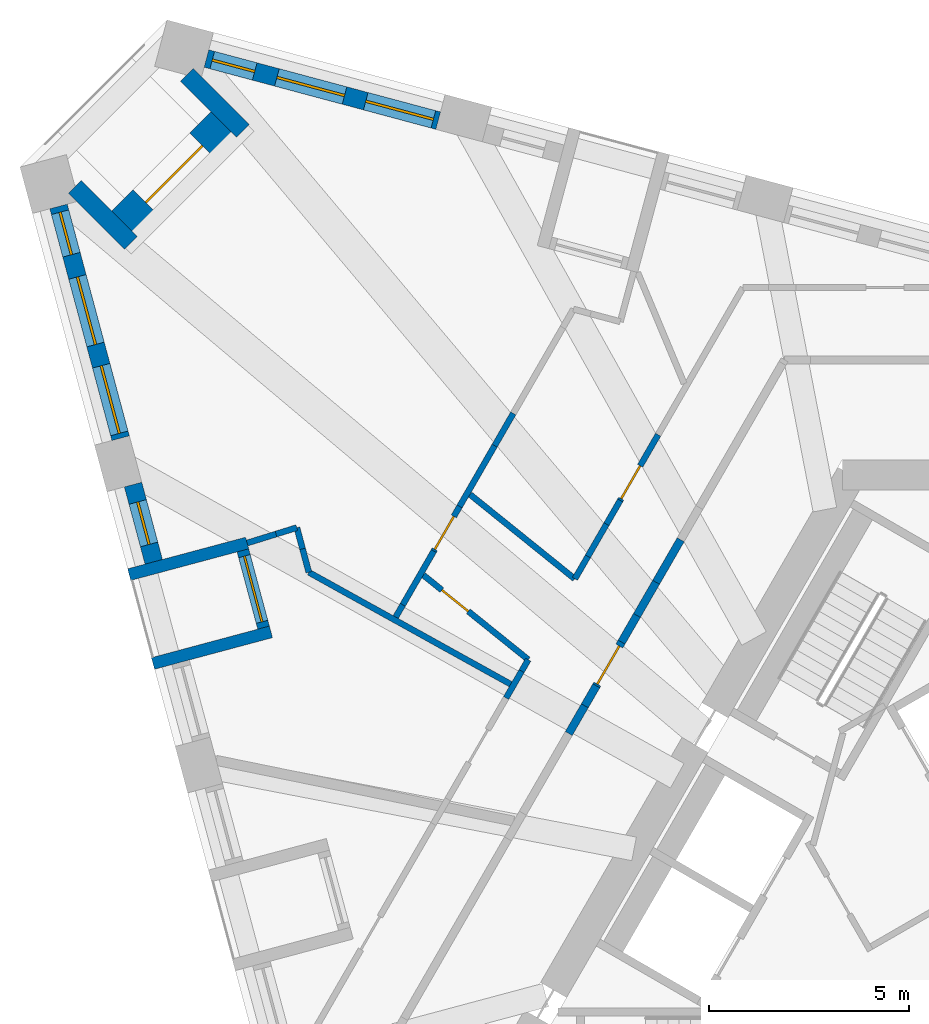
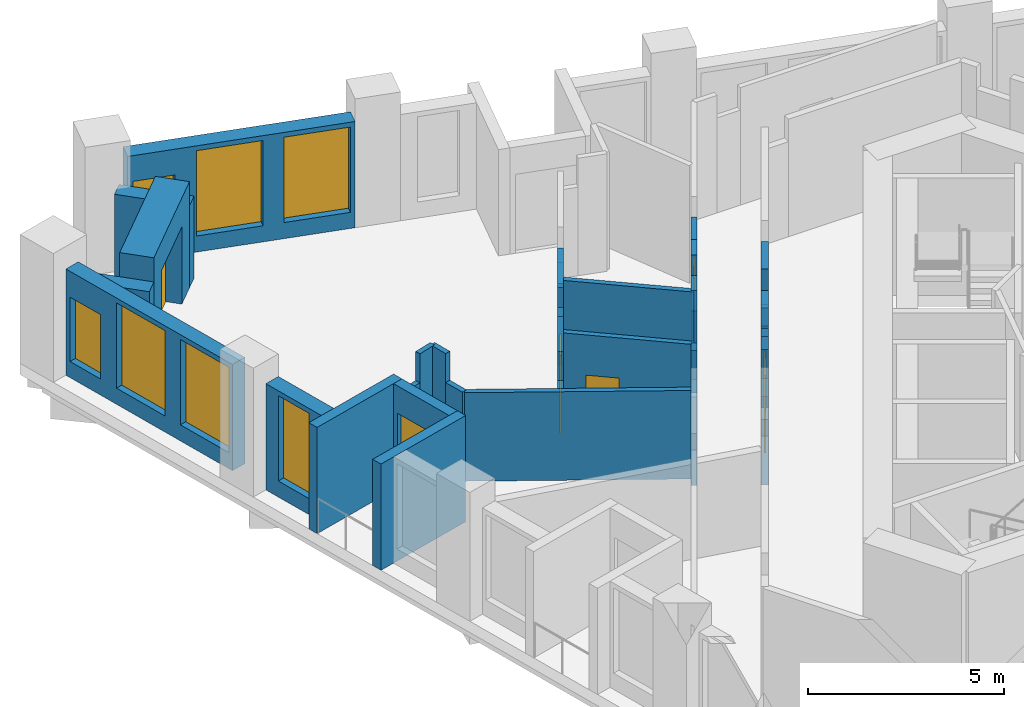
# One storey, part 6 of 13: 33 walls, 7 windows, 6 doors, 13 openings.
"""IFC4 building model written with IfcOpenShell, lengths in metres."""

import ifcopenshell
import ifcopenshell.guid

model = None  # the IFC model being written
_history = None  # IfcOwnerHistory: only IFC2X3 demands one
_inside = {}  # id of a spatial element -> (the spatial element, [elements in it])
_under = {}  # id of a project, library or spatial element -> (it, [spatial elements below it])
_declared = {}  # id of a project -> (the project, [libraries it declares])
_typed = {}  # id of a type object -> (the type object, [elements of that type])
_made_of = {}  # id of a material, layer set ... -> (it, [elements and type objects made of it])


def new_model(schema):
    """Start an empty IFC model of exactly this schema.

    Asked for "IFC4X3", IfcOpenShell would pick the latest addendum, in which some entities
    have other attributes; the version numbers below select the first issue.
    IFC2X3 requires an IfcOwnerHistory on every rooted entity: one is made here for all.
    """
    global model, _history
    if schema == "IFC4X3":
        model = ifcopenshell.file(schema_version=(4, 3, 0, 0))
    else:
        model = ifcopenshell.file(schema=schema)
    _inside.clear()
    _under.clear()
    _declared.clear()
    _typed.clear()
    _made_of.clear()
    _history = None
    if model.schema == "IFC2X3":
        org = make("IfcOrganization", Name="unknown")
        user = make(
            "IfcPersonAndOrganization",
            ThePerson=make("IfcPerson", FamilyName="unknown"),
            TheOrganization=org,
        )
        app = make(
            "IfcApplication",
            ApplicationDeveloper=org,
            Version="unknown",
            ApplicationFullName="unknown",
            ApplicationIdentifier="unknown",
        )
        _history = make(
            "IfcOwnerHistory",
            OwningUser=user,
            OwningApplication=app,
            ChangeAction="ADDED",
            CreationDate=0,
        )
    return model


def make(cls, **values):
    """One entity of the class cls with the attributes given. An attribute that is None is left unset."""
    return model.create_entity(
        cls, **{name: value for name, value in values.items() if value is not None}
    )


def rooted(cls, **values):
    """An entity with a GlobalId (a new one), such as an element, a storey or a relation."""
    return make(cls, GlobalId=ifcopenshell.guid.new(), OwnerHistory=_history, **values)


def si_unit(unit_type, name, prefix=None):
    """IfcSIUnit, for example si_unit("LENGTHUNIT", "METRE", prefix="MILLI")."""
    return make("IfcSIUnit", UnitType=unit_type, Prefix=prefix, Name=name)


def assignment(units):
    """IfcUnitAssignment: the units of a project."""
    return None if units is None else make("IfcUnitAssignment", Units=units)


def point(xyz):
    """IfcCartesianPoint."""
    return None if xyz is None else make("IfcCartesianPoint", Coordinates=xyz)


def direction(xyz):
    """IfcDirection."""
    return None if xyz is None else make("IfcDirection", DirectionRatios=xyz)


def frame(location, z_axis=None, x_axis=None):
    """IfcAxis2Placement3D, a coordinate frame: its origin and axes. An axis left out is left unset."""
    return make(
        "IfcAxis2Placement3D",
        Location=point(location),
        Axis=direction(z_axis),
        RefDirection=direction(x_axis),
    )


def frame_2d(location, x_axis=None):
    """IfcAxis2Placement2D, a coordinate frame in the plane: its origin and x axis."""
    return make(
        "IfcAxis2Placement2D", Location=point(location), RefDirection=direction(x_axis)
    )


def origin():
    """The frame at (0, 0, 0) with its axes left unset."""
    return frame((0.0, 0.0, 0.0))


def place(relative_to, where):
    """IfcLocalPlacement: puts the frame where relative to a parent placement (None: the world)."""
    return make(
        "IfcLocalPlacement", PlacementRelTo=relative_to, RelativePlacement=where
    )


def context(
    kind, dimensions, precision=None, world=None, true_north=None, identifier=None
):
    """IfcGeometricRepresentationContext, for example the 3D "Model" context."""
    return make(
        "IfcGeometricRepresentationContext",
        ContextIdentifier=identifier,
        ContextType=kind,
        CoordinateSpaceDimension=dimensions,
        Precision=precision,
        WorldCoordinateSystem=world,
        TrueNorth=true_north,
    )


def subcontext(parent, identifier, kind, view, scale=None):
    """IfcGeometricRepresentationSubContext, for example "Body" below "Model"."""
    return make(
        "IfcGeometricRepresentationSubContext",
        ContextIdentifier=identifier,
        ContextType=kind,
        ParentContext=parent,
        TargetScale=scale,
        TargetView=view,
    )


def project(units=None, contexts=None):
    """IfcProject with its units and contexts."""
    return rooted(
        "IfcProject",
        Name="project",
        RepresentationContexts=contexts,
        UnitsInContext=assignment(units),
    )


def spatial(cls, under=None, at=None, **own):
    """A site, building, storey or space (cls), placed at a placement, below another one or the project."""
    s = rooted(cls, ObjectPlacement=at, **own)
    if under is not None:
        _under.setdefault(under.id(), (under, []))[1].append(s)
    return s


def polyline(points):
    """IfcPolyline through the points."""
    return make("IfcPolyline", Points=[point(p) for p in points])


def profile(cls, at=None, kind="AREA", **sizes):
    """A parametric profile (cls). Its sizes go by their IFC names, for example OverallWidth=200.0."""
    return make(cls, ProfileType=kind, Position=at, **sizes)


def rectangle(**sizes):
    """IfcRectangleProfileDef."""
    return profile("IfcRectangleProfileDef", **sizes)


def outline(outer, holes=None, kind="AREA"):
    """IfcArbitraryClosedProfileDef: a profile drawn as a closed curve; with holes, ...WithVoids."""
    if holes is None:
        return make("IfcArbitraryClosedProfileDef", ProfileType=kind, OuterCurve=outer)
    return make(
        "IfcArbitraryProfileDefWithVoids",
        ProfileType=kind,
        OuterCurve=outer,
        InnerCurves=holes,
    )


def extrude(swept, where, along, depth):
    """IfcExtrudedAreaSolid: the profile swept, set in the frame where, extruded along a direction by depth."""
    return make(
        "IfcExtrudedAreaSolid",
        SweptArea=swept,
        Position=where,
        ExtrudedDirection=direction(along),
        Depth=depth,
    )


def shape(context_of_items, identifier, shape_type, items):
    """IfcShapeRepresentation: the items that make up one representation, for example the "Body"."""
    return make(
        "IfcShapeRepresentation",
        ContextOfItems=context_of_items,
        RepresentationIdentifier=identifier,
        RepresentationType=shape_type,
        Items=items,
    )


def material(Name=None, Category=None):
    """IfcMaterial."""
    return make("IfcMaterial", Name=Name, Category=Category)


def layer(
    of_material, thickness, ventilated=None, Name=None, Category=None, Priority=None
):
    """IfcMaterialLayer: one layer of a wall or slab, of a material (None: an air gap)."""
    return make(
        "IfcMaterialLayer",
        Material=of_material,
        LayerThickness=thickness,
        IsVentilated=ventilated,
        Name=Name,
        Category=Category,
        Priority=Priority,
    )


def layer_set(layers, Name=None):
    """IfcMaterialLayerSet."""
    return make("IfcMaterialLayerSet", MaterialLayers=layers, LayerSetName=Name)


def made_of(thing, what):
    """Note that an element or type object is made of a material, layer set ...; save() writes the relation."""
    if what is not None:
        _made_of.setdefault(what.id(), (what, []))[1].append(thing)
    return thing


def type_object(cls, material=None, **own):
    """A type object (cls), such as IfcWallType, which elements share."""
    return made_of(rooted(cls, **own), material)


def element(
    cls,
    number,
    at=None,
    inside=None,
    cuts=None,
    type_object=None,
    material=None,
    context=None,
    identifier="Body",
    shape_type=None,
    held_by="IfcProductDefinitionShape",
    body=None,
    shapes=None,
    **own,
):
    """One element of the class cls, such as IfcWall. Its Tag is "e" and its number.

    at: its placement. inside: the storey or other place that contains it. cuts: it is an
    opening in that element (IfcRelVoidsElement). A single representation is given by context,
    identifier, shape_type and body (its items); several are given by shapes. held_by: the class
    of the entity that holds the representations. save() writes the other relations.
    """
    e = rooted(cls, Tag="e%d" % number, ObjectPlacement=at, **own)
    if body is not None:
        shapes = [shape(context, identifier, shape_type, body)]
    if shapes is not None:
        e.Representation = make(held_by, Representations=shapes)
    if inside is not None:
        _inside.setdefault(inside.id(), (inside, []))[1].append(e)
    if cuts is not None:
        rooted(
            "IfcRelVoidsElement", RelatingBuildingElement=cuts, RelatedOpeningElement=e
        )
    if type_object is not None:
        _typed.setdefault(type_object.id(), (type_object, []))[1].append(e)
    return made_of(e, material)


def fill(opening, filler):
    """IfcRelFillsElement: the door or window that sits in an opening."""
    return rooted(
        "IfcRelFillsElement",
        RelatingOpeningElement=opening,
        RelatedBuildingElement=filler,
    )


def aggregate(whole, parts):
    """IfcRelAggregates: a whole, such as a stair, and the parts it consists of."""
    return rooted("IfcRelAggregates", RelatingObject=whole, RelatedObjects=parts)


def save(model, path):
    """Write the relations noted so far, then the file.

    IfcRelAggregates (storeys below a building ...), IfcRelContainedInSpatialStructure (elements
    in a storey), IfcRelDefinesByType, IfcRelAssociatesMaterial and IfcRelDeclares: one each for
    every whole, place, type object, material and project.
    """
    for whole, parts in _under.values():
        aggregate(whole, parts)
    for where, things in _inside.values():
        rooted(
            "IfcRelContainedInSpatialStructure",
            RelatedElements=things,
            RelatingStructure=where,
        )
    for kind, things in _typed.values():
        rooted("IfcRelDefinesByType", RelatedObjects=things, RelatingType=kind)
    for what, things in _made_of.values():
        rooted("IfcRelAssociatesMaterial", RelatedObjects=things, RelatingMaterial=what)
    for by, libraries in _declared.values():
        rooted("IfcRelDeclares", RelatingContext=by, RelatedDefinitions=libraries)
    model.write(path)


model = new_model("IFC4")

# Units and contexts
model_context = context("Model", 3, precision=1e-05, world=origin(), true_north=direction((0.0, 1.0)))
body_context = subcontext(model_context, "Body", "Model", "MODEL_VIEW")
ifc_project = project(units=[si_unit("LENGTHUNIT", "METRE"), si_unit("AREAUNIT", "SQUARE_METRE"), si_unit("VOLUMEUNIT", "CUBIC_METRE"), si_unit("PLANEANGLEUNIT", "RADIAN"), si_unit("MASSUNIT", "GRAM", prefix="KILO")], contexts=[model_context])

# Site, building, storey
site_placement = place(None, origin())
site = spatial("IfcSite", under=ifc_project, at=site_placement, CompositionType="ELEMENT")
building_placement = place(site_placement, origin())
building = spatial("IfcBuilding", under=site, at=building_placement, Name="Tramontana Tower", CompositionType="ELEMENT")
storey_placement = place(building_placement, frame((0.0, 0.0, 228.0)))
storey = spatial("IfcBuildingStorey", under=building, at=storey_placement, Name="L53", CompositionType="ELEMENT", Elevation=228.0)

# Walls
ifc_material_1 = material(Name="Blockwork", Category="masonry")
ifc_layer_1 = layer(ifc_material_1, 0.199951171875)
ifc_layer_set_1 = layer_set([ifc_layer_1], Name="ENTRY WALL 200")
wall_type_1 = type_object("IfcWallType", Name="ENTRY WALL 200", PredefinedType="SOLIDWALL", material=ifc_layer_set_1)
wall_1_placement = place(storey_placement, frame((-8.2783203125, 4.16162109375, 0.0), z_axis=(0.0, 0.0, 1.0), x_axis=(0.500109828528, 0.865961984968, 0.0)))
element("IfcWall", 1, at=wall_1_placement, inside=storey, type_object=wall_type_1, Name="Wall v52-ew4-5", PredefinedType="SOLIDWALL", context=body_context, shape_type="SweptSolid", body=[
    extrude(rectangle(XDim=0.800048828125, YDim=0.199951171875, at=frame_2d((0.39990234375, 0.0))), origin(), (0.0, 0.0, 1.0), 2.75),
])
wall_2_placement = place(storey_placement, frame((-7.878173828125, 4.8544921875, 0.0), z_axis=(0.0, 0.0, 1.0), x_axis=(0.499783563124, 0.866150327617, 0.0)))
element("IfcWall", 2, at=wall_2_placement, inside=storey, type_object=wall_type_1, Name="Wall v52-ew4-6", PredefinedType="SOLIDWALL", context=body_context, shape_type="SweptSolid", body=[
    extrude(rectangle(XDim=0.576416015625, YDim=0.199951171875, at=frame_2d((0.2880859375, 0.0))), origin(), (0.0, 0.0, 1.0), 3.64990234375),
])

# Wall, opening, door
wall_3_placement = place(storey_placement, frame((-7.590087890625, 5.353759765625, 0.0), z_axis=(0.0, 0.0, 1.0), x_axis=(0.50013570633, 0.86594703952, 0.0)))
wall_3 = element("IfcWall", 3, at=wall_3_placement, inside=storey, type_object=wall_type_1, Name="Wall v52-ew4-7", PredefinedType="SOLIDWALL", context=body_context, shape_type="SweptSolid", body=[
    extrude(outline(polyline([(0.0, 0.0), (1.261474609375, 0.0), (1.261474609375, 2.550048828125), (0.347412109375, 2.550048828125), (0.347412109375, 3.64990234375), (0.0, 3.64990234375), (0.0, 0.0)])), frame((0.0, 0.10009765625, 0.0), z_axis=(0.0, -1.0, 0.0), x_axis=(1.0, 0.0, 0.0)), (0.0, 0.0, 1.0), 0.199951171875),
])
opening_1_placement = place(wall_3_placement, frame((0.050048828125, 0.0, 0.0)))
opening_1 = element("IfcOpeningElement", 4, at=opening_1_placement, cuts=wall_3, Name="Opening B5C-17", PredefinedType="OPENING", context=body_context, shape_type="SweptSolid", body=[
    extrude(rectangle(XDim=1.10009765625, YDim=2.39990234375, at=frame_2d((0.550048828125, 1.199951171875))), frame((0.0, 0.10986328125, 0.0), z_axis=(0.0, -1.0, 0.0), x_axis=(1.0, 0.0, 0.0)), (0.0, 0.0, 1.0), 0.219970703125),
])
ifc_material_2 = material(Name="Painted timber", Category="wood")
door_type_1 = type_object("IfcDoorType", Name="DOOR ENTRY 1100", OperationType="SINGLE_SWING_LEFT", PredefinedType="DOOR", material=ifc_material_2)
door_1_placement = place(opening_1_placement, origin())
door_1 = element("IfcDoor", 5, at=door_1_placement, inside=storey, type_object=door_type_1, Name="Door B5C-17", OperationType="SINGLE_SWING_LEFT", OverallHeight=2.39990234375, OverallWidth=1.10009765625, PredefinedType="DOOR", context=body_context, shape_type="SweptSolid", body=[
    extrude(rectangle(XDim=1.10009765625, YDim=2.39990234375, at=frame_2d((0.550048828125, 1.199951171875))), frame((0.0, 0.02490234375, 0.0), z_axis=(0.0, -1.0, 0.0), x_axis=(1.0, 0.0, 0.0)), (0.0, 0.0, 1.0), 0.050048828125),
])
fill(opening_1, door_1)

# Walls
wall_4_placement = place(storey_placement, frame((-6.959228515625, 6.446044921875, 0.0), z_axis=(0.0, 0.0, 1.0), x_axis=(0.499997253739, 0.866026989333, 0.0)))
element("IfcWall", 6, at=wall_4_placement, inside=storey, type_object=wall_type_1, Name="Wall v52-ew4-8", PredefinedType="SOLIDWALL", context=body_context, shape_type="SweptSolid", body=[
    extrude(rectangle(XDim=0.76904296875, YDim=0.199951171875, at=frame_2d((0.384521484375, 0.0))), origin(), (0.0, 0.0, 1.0), 3.64990234375),
])
wall_5_placement = place(storey_placement, frame((-6.57470703125, 7.112060546875, 0.0), z_axis=(0.0, 0.0, 1.0), x_axis=(0.499869636591, 0.866100656052, 0.0)))
element("IfcWall", 7, at=wall_5_placement, inside=storey, type_object=wall_type_1, Name="Wall v52-ew4-9", PredefinedType="SOLIDWALL", context=body_context, shape_type="SweptSolid", body=[
    extrude(rectangle(XDim=0.957275390625, YDim=0.199951171875, at=frame_2d((0.478515625, 0.0))), origin(), (0.0, 0.0, 1.0), 2.550048828125),
])
wall_6_placement = place(storey_placement, frame((-6.09619140625, 7.941162109375, 0.0), z_axis=(0.0, 0.0, 1.0), x_axis=(0.500055461028, 0.865993380977, 0.0)))
element("IfcWall", 8, at=wall_6_placement, inside=storey, type_object=wall_type_1, Name="Wall v52-ew4-10", PredefinedType="SOLIDWALL", context=body_context, shape_type="SweptSolid", body=[
    extrude(rectangle(XDim=1.226806640625, YDim=0.199951171875, at=frame_2d((0.61328125, 0.0))), origin(), (0.0, 0.0, 1.0), 3.64990234375),
])

# Wall, openings, windows
ifc_material_3 = material(Name="Precast concrete 60 MPa", Category="concrete")
ifc_layer_2 = layer(ifc_material_3, 0.449951171875)
ifc_layer_set_2 = layer_set([ifc_layer_2], Name="Precast concrete 60 MPa, 450 mm")
wall_type_2 = type_object("IfcWallType", Name="EW1 Stone-faced precast wall 450", PredefinedType="SOLIDWALL", material=ifc_layer_set_2)
wall_7_placement = place(storey_placement, frame((-21.027099609375, 17.3310546875, 0.0), z_axis=(0.0, 0.0, 1.0), x_axis=(0.258831089404, -0.965922598948, 0.0)))
wall_7 = element("IfcWall", 9, at=wall_7_placement, inside=storey, type_object=wall_type_2, Name="External wall L53 face 0 bay 1", PredefinedType="SOLIDWALL", context=body_context, shape_type="SweptSolid", body=[
    extrude(rectangle(XDim=5.994384765625, YDim=0.449951171875, at=frame_2d((2.9970703125, 0.0))), origin(), (0.0, 0.0, 1.0), 3.300048828125),
])
opening_2_placement = place(wall_7_placement, frame((0.14892578125, 0.0, 0.5)))
opening_2 = element("IfcOpeningElement", 10, at=opening_2_placement, cuts=wall_7, Name="Opening N2L", PredefinedType="OPENING", context=body_context, shape_type="SweptSolid", body=[
    extrude(rectangle(XDim=1.10009765625, YDim=2.0, at=frame_2d((0.550048828125, 1.0))), frame((0.0, 0.23486328125, 0.0), z_axis=(0.0, -1.0, 0.0), x_axis=(1.0, 0.0, 0.0)), (0.0, 0.0, 1.0), 0.469970703125),
])
opening_3_placement = place(wall_7_placement, frame((1.822021484375, 0.0, 0.5)))
opening_3 = element("IfcOpeningElement", 11, at=opening_3_placement, cuts=wall_7, Name="Opening M2", PredefinedType="OPENING", context=body_context, shape_type="SweptSolid", body=[
    extrude(rectangle(XDim=1.75, YDim=2.64990234375, at=frame_2d((0.875, 1.324951171875))), frame((0.0, 0.23486328125, 0.0), z_axis=(0.0, -1.0, 0.0), x_axis=(1.0, 0.0, 0.0)), (0.0, 0.0, 1.0), 0.469970703125),
])
opening_4_placement = place(wall_7_placement, frame((4.1201171875, 0.0, 0.5)))
opening_4 = element("IfcOpeningElement", 12, at=opening_4_placement, cuts=wall_7, Name="Opening M2", PredefinedType="OPENING", context=body_context, shape_type="SweptSolid", body=[
    extrude(rectangle(XDim=1.75, YDim=2.64990234375, at=frame_2d((0.875, 1.324951171875))), frame((0.0, 0.23486328125, 0.0), z_axis=(0.0, -1.0, 0.0), x_axis=(1.0, 0.0, 0.0)), (0.0, 0.0, 1.0), 0.469970703125),
])
ifc_material_4 = material(Name="Aluminum frame, double glazing unit", Category="aluminium")
window_type_1 = type_object("IfcWindowType", Name="M2 Window 1.75 x 2.65", PartitioningType="SINGLE_PANEL", PredefinedType="WINDOW", material=ifc_material_4)
window_1_placement = place(opening_3_placement, origin())
window_1 = element("IfcWindow", 13, at=window_1_placement, inside=storey, type_object=window_type_1, Name="Window M2 L53 face 0 module 2", OverallHeight=2.64990234375, OverallWidth=1.75, PartitioningType="SINGLE_PANEL", PredefinedType="WINDOW", context=body_context, shape_type="SweptSolid", body=[
    extrude(rectangle(XDim=1.75, YDim=2.64990234375, at=frame_2d((0.875, 1.324951171875))), frame((0.0, 0.030029296875, 0.0), z_axis=(0.0, -1.0, 0.0), x_axis=(1.0, 0.0, 0.0)), (0.0, 0.0, 1.0), 0.06005859375),
])
fill(opening_3, window_1)
window_2_placement = place(opening_4_placement, origin())
window_2 = element("IfcWindow", 14, at=window_2_placement, inside=storey, type_object=window_type_1, Name="Window M2 L53 face 0 module 3", OverallHeight=2.64990234375, OverallWidth=1.75, PartitioningType="SINGLE_PANEL", PredefinedType="WINDOW", context=body_context, shape_type="SweptSolid", body=[
    extrude(rectangle(XDim=1.75, YDim=2.64990234375, at=frame_2d((0.875, 1.324951171875))), frame((0.0, 0.030029296875, 0.0), z_axis=(0.0, -1.0, 0.0), x_axis=(1.0, 0.0, 0.0)), (0.0, 0.0, 1.0), 0.06005859375),
])
fill(opening_4, window_2)
ifc_material_5 = material(Name="Aluminum frame, double glazing unit", Category="aluminium")
window_type_2 = type_object("IfcWindowType", Name="N2L Window 1.1 x 2", PartitioningType="SINGLE_PANEL", PredefinedType="WINDOW", material=ifc_material_5)
window_3_placement = place(opening_2_placement, origin())
window_3 = element("IfcWindow", 15, at=window_3_placement, inside=storey, type_object=window_type_2, Name="Window N2L L53 face 0 module 1", OverallHeight=2.0, OverallWidth=1.10009765625, PartitioningType="SINGLE_PANEL", PredefinedType="WINDOW", context=body_context, shape_type="SweptSolid", body=[
    extrude(rectangle(XDim=1.10009765625, YDim=2.0, at=frame_2d((0.550048828125, 1.0))), frame((0.0, 0.030029296875, 0.0), z_axis=(0.0, -1.0, 0.0), x_axis=(1.0, 0.0, 0.0)), (0.0, 0.0, 1.0), 0.06005859375),
])
fill(opening_2, window_3)

# Wall, opening, window
wall_8_placement = place(storey_placement, frame((-19.1650390625, 10.3818359375, 0.0), z_axis=(0.0, 0.0, 1.0), x_axis=(0.258803270362, -0.96593005298, 0.0)))
wall_8 = element("IfcWall", 16, at=wall_8_placement, inside=storey, type_object=wall_type_2, Name="External wall L53 face 0 bay 2", PredefinedType="SOLIDWALL", context=body_context, shape_type="SweptSolid", body=[
    extrude(rectangle(XDim=1.998046875, YDim=0.449951171875, at=frame_2d((0.9990234375, 0.0))), origin(), (0.0, 0.0, 1.0), 3.300048828125),
])
opening_5_placement = place(wall_8_placement, frame((0.448974609375, 0.0, 0.5)))
opening_5 = element("IfcOpeningElement", 17, at=opening_5_placement, cuts=wall_8, Name="Opening N2", PredefinedType="OPENING", context=body_context, shape_type="SweptSolid", body=[
    extrude(rectangle(XDim=1.10009765625, YDim=2.64990234375, at=frame_2d((0.550048828125, 1.324951171875))), frame((0.0, 0.23486328125, 0.0), z_axis=(0.0, -1.0, 0.0), x_axis=(1.0, 0.0, 0.0)), (0.0, 0.0, 1.0), 0.469970703125),
])
ifc_material_6 = material(Name="Aluminum frame, double glazing unit", Category="aluminium")
window_type_3 = type_object("IfcWindowType", Name="N2 Window 1.1 x 2.65", PartitioningType="SINGLE_PANEL", PredefinedType="WINDOW", material=ifc_material_6)
window_4_placement = place(opening_5_placement, origin())
window_4 = element("IfcWindow", 18, at=window_4_placement, inside=storey, type_object=window_type_3, Name="Window N2 L53 face 0 module 4", OverallHeight=2.64990234375, OverallWidth=1.10009765625, PartitioningType="SINGLE_PANEL", PredefinedType="WINDOW", context=body_context, shape_type="SweptSolid", body=[
    extrude(rectangle(XDim=1.10009765625, YDim=2.64990234375, at=frame_2d((0.550048828125, 1.324951171875))), frame((0.0, 0.030029296875, 0.0), z_axis=(0.0, -1.0, 0.0), x_axis=(1.0, 0.0, 0.0)), (0.0, 0.0, 1.0), 0.06005859375),
])
fill(opening_5, window_4)

# Wall, openings, windows
wall_9_placement = place(storey_placement, frame((-11.541015625, 19.4755859375, 0.0), z_axis=(0.0, 0.0, 1.0), x_axis=(-0.965922598948, 0.258831089404, 0.0)))
wall_9 = element("IfcWall", 19, at=wall_9_placement, inside=storey, type_object=wall_type_2, Name="External wall L53 face 2 bay 6", PredefinedType="SOLIDWALL", context=body_context, shape_type="SweptSolid", body=[
    extrude(rectangle(XDim=5.994384765625, YDim=0.449951171875, at=frame_2d((2.9970703125, 0.0))), origin(), (0.0, 0.0, 1.0), 3.300048828125),
])
opening_6_placement = place(wall_9_placement, frame((0.1240234375, 0.0, 0.5)))
opening_6 = element("IfcOpeningElement", 20, at=opening_6_placement, cuts=wall_9, Name="Opening M2", PredefinedType="OPENING", context=body_context, shape_type="SweptSolid", body=[
    extrude(rectangle(XDim=1.75, YDim=2.64990234375, at=frame_2d((0.875, 1.324951171875))), frame((0.0, 0.23486328125, 0.0), z_axis=(0.0, -1.0, 0.0), x_axis=(1.0, 0.0, 0.0)), (0.0, 0.0, 1.0), 0.469970703125),
])
opening_7_placement = place(wall_9_placement, frame((2.422119140625, 0.0, 0.5)))
opening_7 = element("IfcOpeningElement", 21, at=opening_7_placement, cuts=wall_9, Name="Opening M2", PredefinedType="OPENING", context=body_context, shape_type="SweptSolid", body=[
    extrude(rectangle(XDim=1.75, YDim=2.64990234375, at=frame_2d((0.875, 1.324951171875))), frame((0.0, 0.23486328125, 0.0), z_axis=(0.0, -1.0, 0.0), x_axis=(1.0, 0.0, 0.0)), (0.0, 0.0, 1.0), 0.469970703125),
])
opening_8_placement = place(wall_9_placement, frame((4.7451171875, 0.0, 0.5)))
opening_8 = element("IfcOpeningElement", 22, at=opening_8_placement, cuts=wall_9, Name="Opening N2L", PredefinedType="OPENING", context=body_context, shape_type="SweptSolid", body=[
    extrude(rectangle(XDim=1.10009765625, YDim=2.0, at=frame_2d((0.550048828125, 1.0))), frame((0.0, 0.23486328125, 0.0), z_axis=(0.0, -1.0, 0.0), x_axis=(1.0, 0.0, 0.0)), (0.0, 0.0, 1.0), 0.469970703125),
])
window_5_placement = place(opening_6_placement, origin())
window_5 = element("IfcWindow", 23, at=window_5_placement, inside=storey, type_object=window_type_1, Name="Window M2 L53 face 2 module 16", OverallHeight=2.64990234375, OverallWidth=1.75, PartitioningType="SINGLE_PANEL", PredefinedType="WINDOW", context=body_context, shape_type="SweptSolid", body=[
    extrude(rectangle(XDim=1.75, YDim=2.64990234375, at=frame_2d((0.875, 1.324951171875))), frame((0.0, 0.030029296875, 0.0), z_axis=(0.0, -1.0, 0.0), x_axis=(1.0, 0.0, 0.0)), (0.0, 0.0, 1.0), 0.06005859375),
])
fill(opening_6, window_5)
window_6_placement = place(opening_7_placement, origin())
window_6 = element("IfcWindow", 24, at=window_6_placement, inside=storey, type_object=window_type_1, Name="Window M2 L53 face 2 module 17", OverallHeight=2.64990234375, OverallWidth=1.75, PartitioningType="SINGLE_PANEL", PredefinedType="WINDOW", context=body_context, shape_type="SweptSolid", body=[
    extrude(rectangle(XDim=1.75, YDim=2.64990234375, at=frame_2d((0.875, 1.324951171875))), frame((0.0, 0.030029296875, 0.0), z_axis=(0.0, -1.0, 0.0), x_axis=(1.0, 0.0, 0.0)), (0.0, 0.0, 1.0), 0.06005859375),
])
fill(opening_7, window_6)
window_7_placement = place(opening_8_placement, origin())
window_7 = element("IfcWindow", 25, at=window_7_placement, inside=storey, type_object=window_type_2, Name="Window N2L L53 face 2 module 18", OverallHeight=2.0, OverallWidth=1.10009765625, PartitioningType="SINGLE_PANEL", PredefinedType="WINDOW", context=body_context, shape_type="SweptSolid", body=[
    extrude(rectangle(XDim=1.10009765625, YDim=2.0, at=frame_2d((0.550048828125, 1.0))), frame((0.0, 0.030029296875, 0.0), z_axis=(0.0, -1.0, 0.0), x_axis=(1.0, 0.0, 0.0)), (0.0, 0.0, 1.0), 0.06005859375),
])
fill(opening_8, window_7)

# Walls
for number, where, z_axis, x_axis, name in (
    (26, (-20.615234375, 17.822021484375, 0.0), (0.0, 0.0, 1.0), (0.70716845375, -0.707045103244, 0.0), "Corner loggia side wall L53 K50l"),
    (27, (-17.822021484375, 20.615234375, 0.0), (0.0, 0.0, 1.0), (0.707045103244, -0.70716845375, 0.0), "Corner loggia side wall L53 K50r"),
):
    element("IfcWall", number, at=place(storey_placement, frame(where, z_axis=z_axis, x_axis=x_axis)), inside=storey, type_object=wall_type_2, Name=name, PredefinedType="SOLIDWALL", context=body_context, shape_type="SweptSolid", body=[
        extrude(rectangle(XDim=1.979248046875, YDim=0.449951171875, at=frame_2d((0.98974609375, 0.0))), origin(), (0.0, 0.0, 1.0), 2.550048828125),
    ])

# Wall, opening, door
ifc_material_7 = material(Name="Precast concrete 60 MPa", Category="concrete")
ifc_layer_3 = layer(ifc_material_7, 0.89990234375)
ifc_layer_set_3 = layer_set([ifc_layer_3], Name="EW2 Stone-faced corner loggia wall 900")
wall_type_3 = type_object("IfcWallType", Name="EW2 Stone-faced corner loggia wall 900", PredefinedType="SOLIDWALL", material=ifc_layer_set_3)
wall_10_placement = place(storey_placement, frame((-19.374755859375, 16.89990234375, 0.0), z_axis=(0.0, 0.0, 1.0), x_axis=(0.707106781187, 0.707106781187, 0.0)))
wall_10 = element("IfcWall", 28, at=wall_10_placement, inside=storey, type_object=wall_type_3, Name="Corner loggia wall L53 K50", PredefinedType="SOLIDWALL", context=body_context, shape_type="SweptSolid", body=[
    extrude(rectangle(XDim=3.5, YDim=0.89990234375, at=frame_2d((1.75, 0.0))), origin(), (0.0, 0.0, 1.0), 3.300048828125),
])
opening_9_placement = place(wall_10_placement, frame((0.75, 0.0, 0.0)))
opening_9 = element("IfcOpeningElement", 29, at=opening_9_placement, cuts=wall_10, Name="Opening BD-50C", PredefinedType="OPENING", context=body_context, shape_type="SweptSolid", body=[
    extrude(rectangle(XDim=2.0, YDim=2.39990234375, at=frame_2d((1.0, 1.199951171875))), frame((0.0, 0.4599609375, 0.0), z_axis=(0.0, -1.0, 0.0), x_axis=(1.0, 0.0, 0.0)), (0.0, 0.0, 1.0), 0.919921875),
])
ifc_material_8 = material(Name="Aluminum frame, double glazing unit", Category="aluminium")
door_type_2 = type_object("IfcDoorType", Name="BC1 Sliding door 2 x 2.4", OperationType="SLIDING_TO_LEFT", PredefinedType="DOOR", material=ifc_material_8)
door_2_placement = place(opening_9_placement, origin())
door_2 = element("IfcDoor", 30, at=door_2_placement, inside=storey, type_object=door_type_2, Name="Corner loggia door L53 K50", OperationType="SLIDING_TO_LEFT", OverallHeight=2.39990234375, OverallWidth=2.0, PredefinedType="DOOR", context=body_context, shape_type="SweptSolid", body=[
    extrude(rectangle(XDim=2.0, YDim=2.39990234375, at=frame_2d((1.0, 1.199951171875))), frame((0.0, 0.02490234375, 0.0), z_axis=(0.0, -1.0, 0.0), x_axis=(1.0, 0.0, 0.0)), (0.0, 0.0, 1.0), 0.050048828125),
])
fill(opening_9, door_2)

ifc_material_9 = material(Name="Precast concrete 60 MPa", Category="concrete")
ifc_layer_4 = layer(ifc_material_9, 0.300048828125)
ifc_layer_set_4 = layer_set([ifc_layer_4], Name="LW1 Stone-faced loggia wall 300")
wall_type_4 = type_object("IfcWallType", Name="LW1 Stone-faced loggia wall 300", PredefinedType="SOLIDWALL", material=ifc_layer_set_4)
wall_11_placement = place(storey_placement, frame((-16.421142578125, 8.738037109375, 0.0), z_axis=(0.0, 0.0, 1.0), x_axis=(0.258803270362, -0.96593005298, 0.0)))
wall_11 = element("IfcWall", 31, at=wall_11_placement, inside=storey, type_object=wall_type_4, Name="Loggia wall L53 G5S0.4", PredefinedType="SOLIDWALL", context=body_context, shape_type="SweptSolid", body=[
    extrude(rectangle(XDim=1.998046875, YDim=0.300048828125, at=frame_2d((0.9990234375, 0.0))), origin(), (0.0, 0.0, 1.0), 3.300048828125),
])
opening_10_placement = place(wall_11_placement, frame((0.14892578125, 0.0, 0.0)))
opening_10 = element("IfcOpeningElement", 32, at=opening_10_placement, cuts=wall_11, Name="Opening BD-5S0-04", PredefinedType="OPENING", context=body_context, shape_type="SweptSolid", body=[
    extrude(rectangle(XDim=1.699951171875, YDim=2.449951171875, at=frame_2d((0.85009765625, 1.22509765625))), frame((0.0, 0.159912109375, 0.0), z_axis=(0.0, -1.0, 0.0), x_axis=(1.0, 0.0, 0.0)), (0.0, 0.0, 1.0), 0.320068359375),
])
ifc_material_10 = material(Name="Aluminum frame, double glazing unit", Category="aluminium")
door_type_3 = type_object("IfcDoorType", Name="BD2 Sliding door 1.7 x 2.45", OperationType="SLIDING_TO_LEFT", PredefinedType="DOOR", material=ifc_material_10)
door_3_placement = place(opening_10_placement, origin())
door_3 = element("IfcDoor", 33, at=door_3_placement, inside=storey, type_object=door_type_3, Name="Loggia door L53 G5S0.4", OperationType="SLIDING_TO_LEFT", OverallHeight=2.449951171875, OverallWidth=1.699951171875, PredefinedType="DOOR", context=body_context, shape_type="SweptSolid", body=[
    extrude(rectangle(XDim=1.699951171875, YDim=2.449951171875, at=frame_2d((0.85009765625, 1.22509765625))), frame((0.0, 0.02490234375, 0.0), z_axis=(0.0, -1.0, 0.0), x_axis=(1.0, 0.0, 0.0)), (0.0, 0.0, 1.0), 0.050048828125),
])
fill(opening_10, door_3)

# Walls
wall_12_placement = place(storey_placement, frame((-19.26123046875, 8.13232421875, 0.0), z_axis=(0.0, 0.0, 1.0), x_axis=(0.9659380486, 0.25877342651, 0.0)))
element("IfcWall", 34, at=wall_12_placement, inside=storey, type_object=wall_type_4, Name="Loggia return L53 G5S0.4a", PredefinedType="SOLIDWALL", context=body_context, shape_type="SweptSolid", body=[
    extrude(rectangle(XDim=3.05029296875, YDim=0.300048828125, at=frame_2d((1.525146484375, 0.0))), origin(), (0.0, 0.0, 1.0), 3.300048828125),
])
wall_13_placement = place(storey_placement, frame((-18.666259765625, 5.91259765625, 0.0), z_axis=(0.0, 0.0, 1.0), x_axis=(0.965932688119, 0.258793435045, 0.0)))
element("IfcWall", 35, at=wall_13_placement, inside=storey, type_object=wall_type_4, Name="Loggia return L53 G5S0.4b", PredefinedType="SOLIDWALL", context=body_context, shape_type="SweptSolid", body=[
    extrude(rectangle(XDim=3.050048828125, YDim=0.300048828125, at=frame_2d((1.52490234375, 0.0))), origin(), (0.0, 0.0, 1.0), 3.300048828125),
])
ifc_material_11 = material(Name="Gypsum board partition")
ifc_layer_5 = layer(ifc_material_11, 0.14990234375)
ifc_layer_set_5 = layer_set([ifc_layer_5], Name="PARTITION 150")
wall_type_5 = type_object("IfcWallType", Name="PARTITION 150", PredefinedType="PARTITIONING", material=ifc_layer_set_5)
wall_14_placement = place(storey_placement, frame((-9.843994140625, 5.0498046875, 0.0), z_axis=(0.0, 0.0, 1.0), x_axis=(0.500204125617, 0.865907519724, 0.0)))
element("IfcWall", 36, at=wall_14_placement, inside=storey, type_object=wall_type_5, Name="Wall v52-pw01-4", PredefinedType="PARTITIONING", context=body_context, shape_type="SweptSolid", body=[
    extrude(rectangle(XDim=0.775146484375, YDim=0.14990234375, at=frame_2d((0.3876953125, 0.0))), origin(), (0.0, 0.0, 1.0), 2.75),
])
wall_15_placement = place(storey_placement, frame((-9.456298828125, 5.720947265625, 0.0), z_axis=(0.0, 0.0, 1.0), x_axis=(0.499251428879, 0.866457160373, 0.0)))
element("IfcWall", 37, at=wall_15_placement, inside=storey, type_object=wall_type_5, Name="Wall v52-pw01-5", PredefinedType="PARTITIONING", context=body_context, shape_type="SweptSolid", body=[
    extrude(rectangle(XDim=0.3291015625, YDim=0.14990234375, at=frame_2d((0.16455078125, 0.0))), origin(), (0.0, 0.0, 1.0), 3.64990234375),
])
wall_16_placement = place(storey_placement, frame((-15.07421875, 9.30615234375, 0.0), z_axis=(0.0, 0.0, 1.0), x_axis=(-0.955213273279, -0.295918236261, 0.0)))
element("IfcWall", 38, at=wall_16_placement, inside=storey, type_object=wall_type_5, Name="Wall v52-pw02-0", PredefinedType="PARTITIONING", context=body_context, shape_type="SweptSolid", body=[
    extrude(rectangle(XDim=0.54296875, YDim=0.14990234375, at=frame_2d((0.271484375, 0.0))), origin(), (0.0, 0.0, 1.0), 3.64990234375),
])
wall_17_placement = place(storey_placement, frame((-15.5927734375, 9.1455078125, 0.0), z_axis=(0.0, 0.0, 1.0), x_axis=(-0.955155499666, -0.296104663013, 0.0)))
element("IfcWall", 39, at=wall_17_placement, inside=storey, type_object=wall_type_5, Name="Wall v52-pw02-1", PredefinedType="PARTITIONING", context=body_context, shape_type="SweptSolid", body=[
    extrude(rectangle(XDim=0.756103515625, YDim=0.14990234375, at=frame_2d((0.3779296875, 0.0))), origin(), (0.0, 0.0, 1.0), 2.75),
])
wall_18_placement = place(storey_placement, frame((-14.77294921875, 8.190185546875, 0.0), z_axis=(0.0, 0.0, 1.0), x_axis=(-0.258715941946, 0.965953446799, 0.0)))
element("IfcWall", 40, at=wall_18_placement, inside=storey, type_object=wall_type_5, Name="Wall v52-pw03-0", PredefinedType="PARTITIONING", context=body_context, shape_type="SweptSolid", body=[
    extrude(rectangle(XDim=0.605712890625, YDim=0.14990234375, at=frame_2d((0.302734375, 0.0))), origin(), (0.0, 0.0, 1.0), 2.75),
])
wall_19_placement = place(storey_placement, frame((-14.9296875, 8.775390625, 0.0), z_axis=(0.0, 0.0, 1.0), x_axis=(-0.258854856803, 0.965916229861, 0.0)))
element("IfcWall", 41, at=wall_19_placement, inside=storey, type_object=wall_type_5, Name="Wall v52-pw03-1", PredefinedType="PARTITIONING", context=body_context, shape_type="SweptSolid", body=[
    extrude(rectangle(XDim=0.548095703125, YDim=0.14990234375, at=frame_2d((0.27392578125, 0.0))), origin(), (0.0, 0.0, 1.0), 3.64990234375),
])
wall_20_placement = place(storey_placement, frame((-12.60205078125, 7.072509765625, 0.0), z_axis=(0.0, 0.0, 1.0), x_axis=(0.499562713201, 0.866277724277, 0.0)))
element("IfcWall", 42, at=wall_20_placement, inside=storey, type_object=wall_type_5, Name="Wall v52-pw04-0", PredefinedType="PARTITIONING", context=body_context, shape_type="SweptSolid", body=[
    extrude(rectangle(XDim=0.352783203125, YDim=0.14990234375, at=frame_2d((0.17626953125, 0.0))), origin(), (0.0, 0.0, 1.0), 2.75),
])
wall_21_placement = place(storey_placement, frame((-12.42578125, 7.378173828125, 0.0), z_axis=(0.0, 0.0, 1.0), x_axis=(0.500086022567, 0.865975732936, 0.0)))
element("IfcWall", 43, at=wall_21_placement, inside=storey, type_object=wall_type_5, Name="Wall v52-pw04-1", PredefinedType="PARTITIONING", context=body_context, shape_type="SweptSolid", body=[
    extrude(rectangle(XDim=1.550048828125, YDim=0.14990234375, at=frame_2d((0.77490234375, 0.0))), origin(), (0.0, 0.0, 1.0), 3.64990234375),
])

# Wall, opening, door
wall_22_placement = place(storey_placement, frame((-11.650634765625, 8.720458984375, 0.0), z_axis=(0.0, 0.0, 1.0), x_axis=(0.499990325971, 0.866030989016, 0.0)))
wall_22 = element("IfcWall", 44, at=wall_22_placement, inside=storey, type_object=wall_type_5, Name="Wall v52-pw04-2", PredefinedType="PARTITIONING", context=body_context, shape_type="SweptSolid", body=[
    extrude(outline(polyline([(0.0, 0.0), (1.28857421875, 0.0), (1.288818359375, 2.550048828125), (0.39990234375, 2.550048828125), (0.39990234375, 3.64990234375), (0.0, 3.64990234375), (0.0, 0.0)])), frame((0.0, 0.074951171875, 0.0), z_axis=(0.0, -1.0, 0.0), x_axis=(1.0, 0.0, 0.0)), (0.0, 0.0, 1.0), 0.14990234375),
])
opening_11_placement = place(wall_22_placement, frame((0.050048828125, 0.0, 0.0)))
opening_11 = element("IfcOpeningElement", 45, at=opening_11_placement, cuts=wall_22, Name="Opening B5C-03", PredefinedType="OPENING", context=body_context, shape_type="SweptSolid", body=[
    extrude(rectangle(XDim=0.949951171875, YDim=2.39990234375, at=frame_2d((0.47509765625, 1.199951171875))), frame((0.0, 0.0849609375, 0.0), z_axis=(0.0, -1.0, 0.0), x_axis=(1.0, 0.0, 0.0)), (0.0, 0.0, 1.0), 0.169921875),
])
ifc_material_12 = material(Name="Painted timber", Category="wood")
door_type_4 = type_object("IfcDoorType", Name="DOOR ROOM 950", OperationType="SINGLE_SWING_LEFT", PredefinedType="DOOR", material=ifc_material_12)
door_4_placement = place(opening_11_placement, origin())
door_4 = element("IfcDoor", 46, at=door_4_placement, inside=storey, type_object=door_type_4, Name="Door B5C-03", OperationType="SINGLE_SWING_LEFT", OverallHeight=2.39990234375, OverallWidth=0.949951171875, PredefinedType="DOOR", context=body_context, shape_type="SweptSolid", body=[
    extrude(rectangle(XDim=0.949951171875, YDim=2.39990234375, at=frame_2d((0.47509765625, 1.199951171875))), frame((0.0, 0.02490234375, 0.0), z_axis=(0.0, -1.0, 0.0), x_axis=(1.0, 0.0, 0.0)), (0.0, 0.0, 1.0), 0.050048828125),
])
fill(opening_11, door_4)

# Walls
wall_23_placement = place(storey_placement, frame((-11.00634765625, 9.83642578125, 0.0), z_axis=(0.0, 0.0, 1.0), x_axis=(0.500047902311, 0.865997745606, 0.0)))
element("IfcWall", 47, at=wall_23_placement, inside=storey, type_object=wall_type_5, Name="Wall v52-pw04-3", PredefinedType="PARTITIONING", context=body_context, shape_type="SweptSolid", body=[
    extrude(rectangle(XDim=1.753173828125, YDim=0.14990234375, at=frame_2d((0.87646484375, 0.0))), origin(), (0.0, 0.0, 1.0), 3.64990234375),
])
wall_24_placement = place(storey_placement, frame((-10.129638671875, 11.354736328125, 0.0), z_axis=(0.0, 0.0, 1.0), x_axis=(0.500032811619, 0.866006459158, 0.0)))
element("IfcWall", 48, at=wall_24_placement, inside=storey, type_object=wall_type_5, Name="Wall v52-pw04-4", PredefinedType="PARTITIONING", context=body_context, shape_type="SweptSolid", body=[
    extrude(rectangle(XDim=0.9306640625, YDim=0.14990234375, at=frame_2d((0.46533203125, 0.0))), origin(), (0.0, 0.0, 1.0), 2.550048828125),
])
wall_25_placement = place(storey_placement, frame((-10.7470703125, 10.13525390625, 0.0), z_axis=(0.0, 0.0, 1.0), x_axis=(0.778724340169, -0.627366242341, 0.0)))
element("IfcWall", 49, at=wall_25_placement, inside=storey, type_object=wall_type_5, Name="Wall v52-pw05", PredefinedType="PARTITIONING", context=body_context, shape_type="SweptSolid", body=[
    extrude(rectangle(XDim=3.361572265625, YDim=0.14990234375, at=frame_2d((1.6806640625, 0.0))), origin(), (0.0, 0.0, 1.0), 3.64990234375),
])
wall_26_placement = place(storey_placement, frame((-9.731201171875, 5.39501953125, 0.0), z_axis=(0.0, 0.0, 1.0), x_axis=(-0.874584439846, 0.484873238671, 0.0)))
element("IfcWall", 50, at=wall_26_placement, inside=storey, type_object=wall_type_5, Name="Wall v52-pw07-0", PredefinedType="PARTITIONING", context=body_context, shape_type="SweptSolid", body=[
    extrude(rectangle(XDim=5.7646484375, YDim=0.14990234375, at=frame_2d((2.88232421875, 0.0))), origin(), (0.0, 0.0, 1.0), 2.75),
])

# Wall, opening, door
wall_27_placement = place(storey_placement, frame((-9.29248046875, 6.009765625, 0.0), z_axis=(0.0, 0.0, 1.0), x_axis=(-0.778703656296, 0.627391915529, 0.0)))
wall_27 = element("IfcWall", 51, at=wall_27_placement, inside=storey, type_object=wall_type_5, Name="Wall v52-pw09", PredefinedType="PARTITIONING", context=body_context, shape_type="SweptSolid", body=[
    extrude(rectangle(XDim=3.362548828125, YDim=0.14990234375, at=frame_2d((1.68115234375, 0.0))), origin(), (0.0, 0.0, 1.0), 3.64990234375),
])
opening_12_placement = place(wall_27_placement, frame((1.919921875, 0.0, 0.0)))
opening_12 = element("IfcOpeningElement", 52, at=opening_12_placement, cuts=wall_27, Name="Opening B5C-02", PredefinedType="OPENING", context=body_context, shape_type="SweptSolid", body=[
    extrude(rectangle(XDim=0.85009765625, YDim=2.39990234375, at=frame_2d((0.425048828125, 1.199951171875))), frame((0.0, 0.0849609375, 0.0), z_axis=(0.0, -1.0, 0.0), x_axis=(1.0, 0.0, 0.0)), (0.0, 0.0, 1.0), 0.169921875),
])
ifc_material_13 = material(Name="Painted timber", Category="wood")
door_type_5 = type_object("IfcDoorType", Name="DOOR BATH 850", OperationType="SINGLE_SWING_LEFT", PredefinedType="DOOR", material=ifc_material_13)
door_5_placement = place(opening_12_placement, origin())
door_5 = element("IfcDoor", 53, at=door_5_placement, inside=storey, type_object=door_type_5, Name="Door B5C-02", OperationType="SINGLE_SWING_RIGHT", OverallHeight=2.39990234375, OverallWidth=0.85009765625, PredefinedType="DOOR", context=body_context, shape_type="SweptSolid", body=[
    extrude(rectangle(XDim=0.85009765625, YDim=2.39990234375, at=frame_2d((0.425048828125, 1.199951171875))), frame((0.0, 0.02490234375, 0.0), z_axis=(0.0, -1.0, 0.0), x_axis=(1.0, 0.0, 0.0)), (0.0, 0.0, 1.0), 0.050048828125),
])
fill(opening_12, door_5)

# Walls
wall_28_placement = place(storey_placement, frame((-8.125, 8.027099609375, 0.0), z_axis=(0.0, 0.0, 1.0), x_axis=(0.499907248082, 0.866078947507, 0.0)))
element("IfcWall", 54, at=wall_28_placement, inside=storey, type_object=wall_type_5, Name="Wall v52-pw11-0", PredefinedType="PARTITIONING", context=body_context, shape_type="SweptSolid", body=[
    extrude(rectangle(XDim=0.64794921875, YDim=0.14990234375, at=frame_2d((0.323974609375, 0.0))), origin(), (0.0, 0.0, 1.0), 3.64990234375),
])
wall_29_placement = place(storey_placement, frame((-7.801025390625, 8.58837890625, 0.0), z_axis=(0.0, 0.0, 1.0), x_axis=(0.500032811619, 0.866006459158, 0.0)))
element("IfcWall", 55, at=wall_29_placement, inside=storey, type_object=wall_type_5, Name="Wall v52-pw11-1", PredefinedType="PARTITIONING", context=body_context, shape_type="SweptSolid", body=[
    extrude(rectangle(XDim=0.9306640625, YDim=0.14990234375, at=frame_2d((0.46533203125, 0.0))), origin(), (0.0, 0.0, 1.0), 2.550048828125),
])
wall_30_placement = place(storey_placement, frame((-7.335693359375, 9.394287109375, 0.0), z_axis=(0.0, 0.0, 1.0), x_axis=(0.500093228334, 0.86597157169, 0.0)))
element("IfcWall", 56, at=wall_30_placement, inside=storey, type_object=wall_type_5, Name="Wall v52-pw11-2", PredefinedType="PARTITIONING", context=body_context, shape_type="SweptSolid", body=[
    extrude(rectangle(XDim=0.683837890625, YDim=0.14990234375, at=frame_2d((0.341796875, 0.0))), origin(), (0.0, 0.0, 1.0), 3.64990234375),
])

# Wall, opening, door
wall_31_placement = place(storey_placement, frame((-6.99365234375, 9.986572265625, 0.0), z_axis=(0.0, 0.0, 1.0), x_axis=(0.499975093369, 0.866039783157, 0.0)))
wall_31 = element("IfcWall", 57, at=wall_31_placement, inside=storey, type_object=wall_type_5, Name="Wall v52-pw11-3", PredefinedType="PARTITIONING", context=body_context, shape_type="SweptSolid", body=[
    extrude(outline(polyline([(0.0, 0.0), (1.89599609375, 0.0), (1.89599609375, 2.75), (0.993408203125, 2.75), (0.993408203125, 3.64990234375), (0.0, 3.64990234375), (0.0, 0.0)])), frame((0.0, 0.074951171875, 0.0), z_axis=(0.0, -1.0, 0.0), x_axis=(1.0, 0.0, 0.0)), (0.0, 0.0, 1.0), 0.14990234375),
])
opening_13_placement = place(wall_31_placement, frame((0.050048828125, 0.0, 0.0)))
opening_13 = element("IfcOpeningElement", 58, at=opening_13_placement, cuts=wall_31, Name="Opening B5C-01", PredefinedType="OPENING", context=body_context, shape_type="SweptSolid", body=[
    extrude(rectangle(XDim=0.949951171875, YDim=2.39990234375, at=frame_2d((0.47509765625, 1.199951171875))), frame((0.0, 0.0849609375, 0.0), z_axis=(0.0, -1.0, 0.0), x_axis=(1.0, 0.0, 0.0)), (0.0, 0.0, 1.0), 0.169921875),
])
door_6_placement = place(opening_13_placement, origin())
door_6 = element("IfcDoor", 59, at=door_6_placement, inside=storey, type_object=door_type_4, Name="Door B5C-01", OperationType="SINGLE_SWING_LEFT", OverallHeight=2.39990234375, OverallWidth=0.949951171875, PredefinedType="DOOR", context=body_context, shape_type="SweptSolid", body=[
    extrude(rectangle(XDim=0.949951171875, YDim=2.39990234375, at=frame_2d((0.47509765625, 1.199951171875))), frame((0.0, 0.02490234375, 0.0), z_axis=(0.0, -1.0, 0.0), x_axis=(1.0, 0.0, 0.0)), (0.0, 0.0, 1.0), 0.050048828125),
])
fill(opening_13, door_6)

save(model, "model.ifc")
